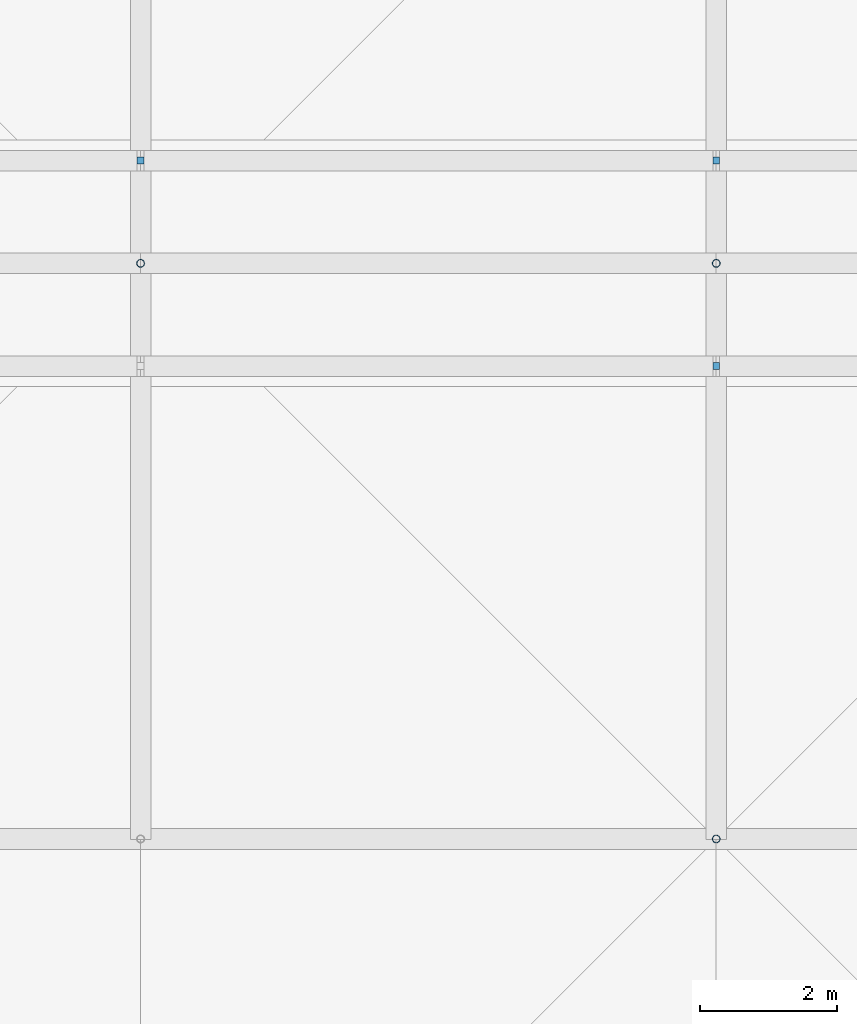
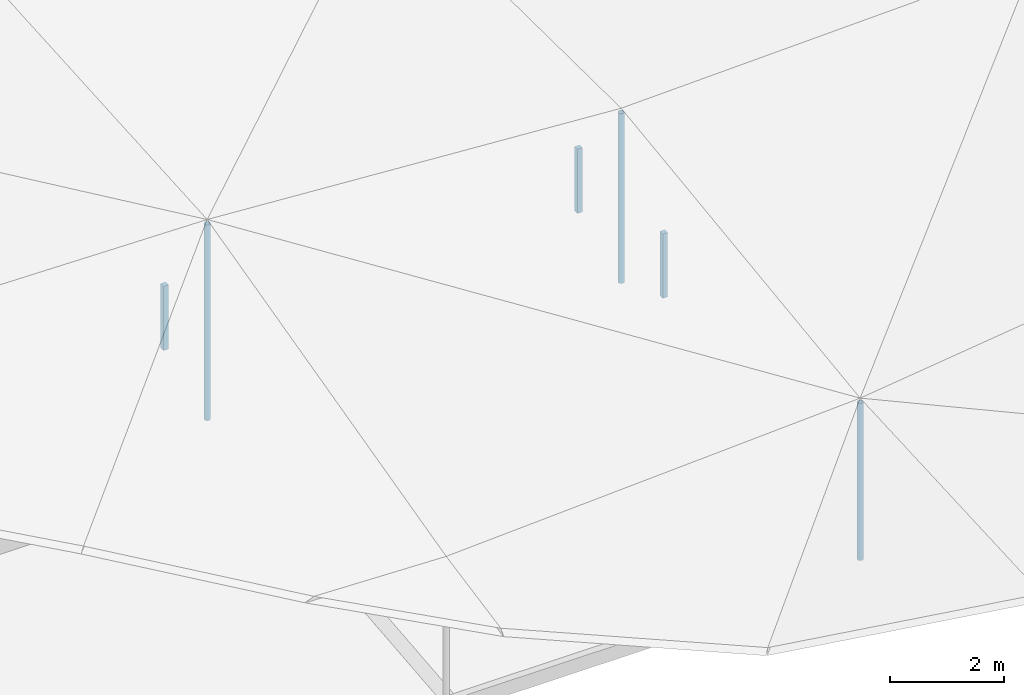
# One storey, part 29 of 46: 6 discrete accessories.
"""IFC4 building model written with IfcOpenShell, lengths in metres."""

from ifc_helpers import new_model, si_unit, direction, frame, origin, origin_2d, place, context, subcontext, project, spatial, rectangle, hollow_circle, extrude, material, layer, layer_set, material_profile, profile_set, type_object, element, save


model = new_model("IFC4")

# Units and contexts
model_context = context("Model", 3, precision=1e-05, world=origin(), true_north=direction((0.0, 1.0)))
body_context = subcontext(model_context, "Body", "Model", "MODEL_VIEW")
ifc_project = project(units=[si_unit("LENGTHUNIT", "METRE"), si_unit("AREAUNIT", "SQUARE_METRE"), si_unit("VOLUMEUNIT", "CUBIC_METRE"), si_unit("PLANEANGLEUNIT", "RADIAN"), si_unit("MASSUNIT", "GRAM", prefix="KILO")], contexts=[model_context])

# Site, building, storey
site_placement = place(None, origin())
site = spatial("IfcSite", under=ifc_project, at=site_placement, CompositionType="ELEMENT")
building_placement = place(site_placement, origin())
building = spatial("IfcBuilding", under=site, at=building_placement, Name="Rain Tree Exposition and Congress Centre", CompositionType="ELEMENT")
storey_placement = place(building_placement, frame((0.0, 0.0, 27.0)))
storey = spatial("IfcBuildingStorey", under=building, at=storey_placement, Name="ROOF VAULT CREST", CompositionType="ELEMENT", Elevation=27.0)

# Discrete accessories
ifc_material_1 = material(Name="Steel S355J2", Category="steel")
ifc_layer = layer(ifc_material_1, 0.10009765625)
ifc_layer_set = layer_set([ifc_layer], Name="Steel S355J2")
discrete_accessory_type_1 = type_object("IfcDiscreteAccessoryType", Name="Ridge lantern post 100", PredefinedType="BRACKET", material=ifc_layer_set)
for number, where, z_axis, x_axis, name in (
    (1, (193.199951171875, 174.89990234375, 2.0), (0.0, 0.0, 1.0), (1.0, 0.0, 0.0), "Lantern post SR1-6"),
    (2, (184.800048828125, 177.89990234375, 2.0), (0.0, 0.0, 1.0), (1.0, 0.0, 0.0), "Lantern post NR1-5"),
    (3, (193.199951171875, 177.89990234375, 2.0), (0.0, 0.0, 1.0), (1.0, 0.0, 0.0), "Lantern post NR1-6"),
):
    element("IfcDiscreteAccessory", number, at=place(storey_placement, frame(where, z_axis=z_axis, x_axis=x_axis)), inside=storey, type_object=discrete_accessory_type_1, Name=name, PredefinedType="BRACKET", context=body_context, shape_type="SweptSolid", body=[
        extrude(rectangle(XDim=0.10009765625, YDim=0.10009765625, at=origin_2d()), origin(), (0.0, 0.0, 1.0), 1.3798828125),
    ])
ifc_material_2 = material(Name="Steel S355J2H", Category="steel")
ifc_material_profile = material_profile(ifc_material_2, hollow_circle(Radius=0.05712890625, WallThickness=0.00439453125, at=origin_2d()), Name="CHS 114x4.5")
ifc_profile_set = profile_set([ifc_material_profile], Name="Steel S355J2H")
discrete_accessory_type_2 = type_object("IfcDiscreteAccessoryType", Name="Roof skin post CHS 114x4.5", PredefinedType="BRACKET", material=ifc_profile_set)
discrete_accessory_1_placement = place(storey_placement, frame((193.199951171875, 168.0, 0.551025390625), z_axis=(0.0, 0.0, 1.0), x_axis=(1.0, 0.0, 0.0)))
element("IfcDiscreteAccessory", 4, at=discrete_accessory_1_placement, inside=storey, type_object=discrete_accessory_type_2, Name="Roof skin post B111", PredefinedType="BRACKET", context=body_context, shape_type="SweptSolid", body=[
    extrude(hollow_circle(Radius=0.05712890625, WallThickness=0.00439453125, at=origin_2d()), origin(), (0.0, 0.0, 1.0), 3.36767578125),
])
discrete_accessory_2_placement = place(storey_placement, frame((184.800048828125, 176.39990234375, 1.39990234375), z_axis=(0.0, 0.0, 1.0), x_axis=(1.0, 0.0, 0.0)))
element("IfcDiscreteAccessory", 5, at=discrete_accessory_2_placement, inside=storey, type_object=discrete_accessory_type_2, Name="Roof skin post B123", PredefinedType="BRACKET", context=body_context, shape_type="SweptSolid", body=[
    extrude(hollow_circle(Radius=0.05712890625, WallThickness=0.00439453125, at=origin_2d()), origin(), (0.0, 0.0, 1.0), 4.197265625),
])
discrete_accessory_3_placement = place(storey_placement, frame((193.199951171875, 176.39990234375, 1.39990234375), z_axis=(0.0, 0.0, 1.0), x_axis=(1.0, 0.0, 0.0)))
element("IfcDiscreteAccessory", 6, at=discrete_accessory_3_placement, inside=storey, type_object=discrete_accessory_type_2, Name="Roof skin post B124", PredefinedType="BRACKET", context=body_context, shape_type="SweptSolid", body=[
    extrude(hollow_circle(Radius=0.05712890625, WallThickness=0.00439453125, at=origin_2d()), origin(), (0.0, 0.0, 1.0), 3.64306640625),
])

save(model, "model.ifc")
